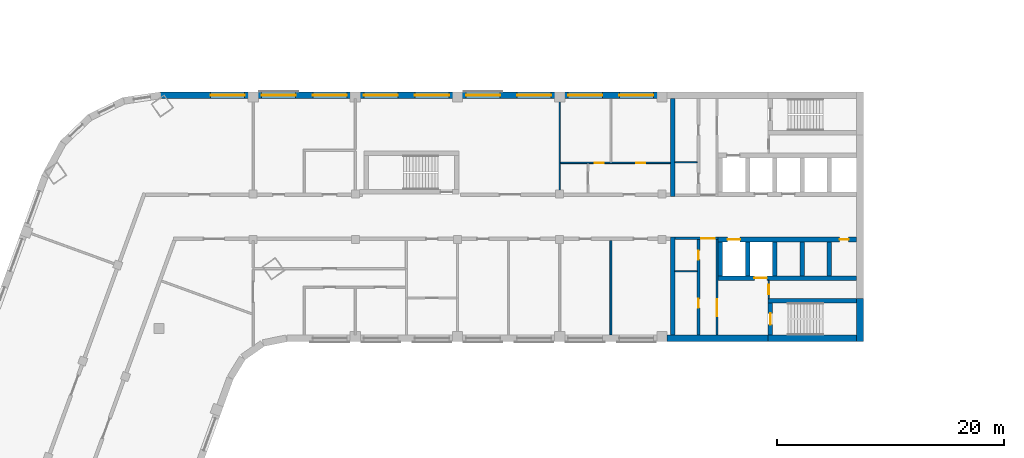
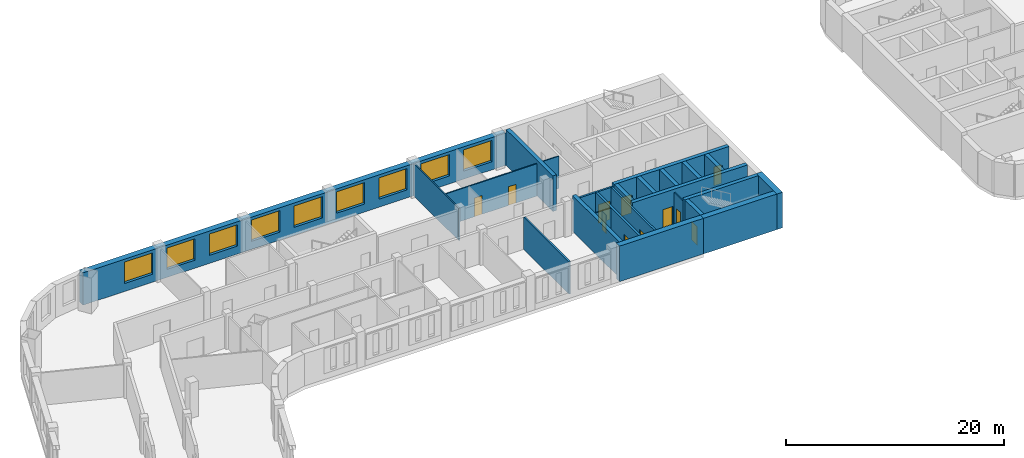
# One storey, part 5 of 12: 24 walls, 11 doors, 9 windows, 20 openings.
"""IFC4 building model written with IfcOpenShell, lengths in metres."""

from ifc_helpers import new_model, si_unit, direction, frame, frame_2d, origin, place, context, subcontext, project, spatial, rectangle, extrude, material, layer, layer_set, type_object, element, fill, save


model = new_model("IFC4")

# Units and contexts
model_context = context("Model", 3, precision=1e-05, world=origin(), true_north=direction((0.0, 1.0)))
body_context = subcontext(model_context, "Body", "Model", "MODEL_VIEW")
ifc_project = project(units=[si_unit("LENGTHUNIT", "METRE"), si_unit("AREAUNIT", "SQUARE_METRE"), si_unit("VOLUMEUNIT", "CUBIC_METRE"), si_unit("PLANEANGLEUNIT", "RADIAN"), si_unit("MASSUNIT", "GRAM", prefix="KILO")], contexts=[model_context])

# Site, building, storey
site_placement = place(None, origin())
site = spatial("IfcSite", under=ifc_project, at=site_placement, CompositionType="ELEMENT")
building_placement = place(site_placement, origin())
building = spatial("IfcBuilding", under=site, at=building_placement, Name="Skarvind Civic Tower", CompositionType="ELEMENT")
storey_placement = place(building_placement, frame((0.0, 0.0, 71.5)))
storey = spatial("IfcBuildingStorey", under=building, at=storey_placement, Name="L16", CompositionType="ELEMENT", Elevation=71.5)

# Wall
ifc_material_1 = material(Name="Acoustic gypsum board on steel studs", Category="steel")
ifc_layer_1 = layer(ifc_material_1, 0.175048828125)
ifc_layer_set_1 = layer_set([ifc_layer_1], Name="ACOUSTIC MEETING-ROOM PARTITION 175")
wall_type_1 = type_object("IfcWallType", Name="ACOUSTIC MEETING-ROOM PARTITION 175", PredefinedType="PARTITIONING", material=ifc_layer_set_1)
wall_1_placement = place(storey_placement, frame((85.75, 117.60009765625, 0.0), z_axis=(0.0, 0.0, 1.0), x_axis=(0.0, 1.0, 0.0)))
element("IfcWall", 1, at=wall_1_placement, inside=storey, type_object=wall_type_1, Name="Partition 16.029", PredefinedType="PARTITIONING", context=body_context, shape_type="SweptSolid", body=[
    extrude(rectangle(XDim=8.2998046875, YDim=0.175048828125, at=frame_2d((4.14990234375, 0.0))), origin(), (0.0, 0.0, 1.0), 3.625),
])

# Wall, opening, door
ifc_material_2 = material(Name="Fire-rated masonry partition", Category="masonry")
ifc_layer_2 = layer(ifc_material_2, 0.199951171875)
ifc_layer_set_2 = layer_set([ifc_layer_2], Name="Core enclosure wall 200")
wall_type_2 = type_object("IfcWallType", Name="Core enclosure wall 200", PredefinedType="PARTITIONING", material=ifc_layer_set_2)
wall_2_placement = place(storey_placement, frame((95.199951171875, 126.10009765625, 0.0), z_axis=(0.0, 0.0, 1.0), x_axis=(-1.0, 0.0, 0.0)))
wall_2 = element("IfcWall", 2, at=wall_2_placement, inside=storey, type_object=wall_type_2, Name="Core wall C1", PredefinedType="PARTITIONING", context=body_context, shape_type="SweptSolid", body=[
    extrude(rectangle(XDim=3.800048828125, YDim=0.199951171875, at=frame_2d((1.89990234375, 0.0))), origin(), (0.0, 0.0, 1.0), 3.625),
])
opening_1_placement = place(wall_2_placement, frame((0.300048828125, 0.0, 0.0)))
opening_1 = element("IfcOpeningElement", 3, at=opening_1_placement, cuts=wall_2, Name="Opening D-L16-C1-05", PredefinedType="OPENING", context=body_context, shape_type="SweptSolid", body=[
    extrude(rectangle(XDim=1.199951171875, YDim=2.10009765625, at=frame_2d((0.60009765625, 1.050048828125))), frame((0.0, 0.10986328125, 0.0), z_axis=(0.0, -1.0, 0.0), x_axis=(1.0, 0.0, 0.0)), (0.0, 0.0, 1.0), 0.219970703125),
])
ifc_material_3 = material(Name="Fire-rated steel door", Category="steel")
door_type_1 = type_object("IfcDoorType", Name="Core lobby door 1200", OperationType="NOTDEFINED", PredefinedType="DOOR", material=ifc_material_3)
door_1_placement = place(opening_1_placement, origin())
door_1 = element("IfcDoor", 4, at=door_1_placement, inside=storey, type_object=door_type_1, Name="Fire door", OperationType="DOUBLE_DOOR_SINGLE_SWING", OverallHeight=2.10009765625, OverallWidth=1.199951171875, PredefinedType="DOOR", context=body_context, shape_type="SweptSolid", body=[
    extrude(rectangle(XDim=1.199951171875, YDim=2.10009765625, at=frame_2d((0.60009765625, 1.050048828125))), frame((0.0, 0.02490234375, 0.0), z_axis=(0.0, -1.0, 0.0), x_axis=(1.0, 0.0, 0.0)), (0.0, 0.0, 1.0), 0.050048828125),
])
fill(opening_1, door_1)

wall_3_placement = place(storey_placement, frame((95.10009765625, 117.60009765625, 0.0), z_axis=(0.0, 0.0, 1.0), x_axis=(0.0, 1.0, 0.0)))
wall_3 = element("IfcWall", 5, at=wall_3_placement, inside=storey, type_object=wall_type_2, Name="Core wall C1", PredefinedType="PARTITIONING", context=body_context, shape_type="SweptSolid", body=[
    extrude(rectangle(XDim=8.39990234375, YDim=0.199951171875, at=frame_2d((4.199951171875, 0.0))), origin(), (0.0, 0.0, 1.0), 3.625),
])
opening_2_placement = place(wall_3_placement, frame((1.64990234375, 0.0, 0.0)))
opening_2 = element("IfcOpeningElement", 6, at=opening_2_placement, cuts=wall_3, Name="Opening D-L16-C1-06", PredefinedType="OPENING", context=body_context, shape_type="SweptSolid", body=[
    extrude(rectangle(XDim=1.5, YDim=2.10009765625, at=frame_2d((0.75, 1.050048828125))), frame((0.0, 0.10986328125, 0.0), z_axis=(0.0, -1.0, 0.0), x_axis=(1.0, 0.0, 0.0)), (0.0, 0.0, 1.0), 0.219970703125),
])
door_type_2 = type_object("IfcDoorType", Name="Fire door 1500", OperationType="NOTDEFINED", PredefinedType="DOOR", material=ifc_material_3)
door_2_placement = place(opening_2_placement, origin())
door_2 = element("IfcDoor", 7, at=door_2_placement, inside=storey, type_object=door_type_2, Name="Fire door", OperationType="DOUBLE_DOOR_SINGLE_SWING", OverallHeight=2.10009765625, OverallWidth=1.5, PredefinedType="DOOR", context=body_context, shape_type="SweptSolid", body=[
    extrude(rectangle(XDim=1.5, YDim=2.10009765625, at=frame_2d((0.75, 1.050048828125))), frame((0.0, 0.02490234375, 0.0), z_axis=(0.0, -1.0, 0.0), x_axis=(1.0, 0.0, 0.0)), (0.0, 0.0, 1.0), 0.050048828125),
])
fill(opening_2, door_2)

# Walls
ifc_material_4 = material(Name="Fire-rated plasterboard partition")
ifc_layer_3 = layer(ifc_material_4, 0.10009765625)
ifc_layer_set_3 = layer_set([ifc_layer_3], Name="Core partition wall 100")
wall_type_3 = type_object("IfcWallType", Name="Core partition wall 100", PredefinedType="PARTITIONING", material=ifc_layer_set_3)
for number, where, z_axis, x_axis, name in (
    (8, (93.35009765625, 123.199951171875, 0.0), (0.0, 0.0, 1.0), (-1.0, 0.0, 0.0), "Core wall C1"),
    (9, (91.39990234375, 132.800048828125, 0.0), (0.0, 0.0, 1.0), (1.0, 0.0, 0.0), "Core wall C1"),
):
    element("IfcWall", number, at=place(storey_placement, frame(where, z_axis=z_axis, x_axis=x_axis)), inside=storey, type_object=wall_type_3, Name=name, PredefinedType="PARTITIONING", context=body_context, shape_type="SweptSolid", body=[
        extrude(rectangle(XDim=1.9501953125, YDim=0.10009765625, at=frame_2d((0.97509765625, 0.0))), origin(), (0.0, 0.0, 1.0), 3.625),
    ])
ifc_material_5 = material(Name="Concrete C80", Category="concrete")
ifc_layer_4 = layer(ifc_material_5, 0.39990234375)
ifc_layer_set_4 = layer_set([ifc_layer_4], Name="Core wall 400 C80")
wall_type_4 = type_object("IfcWallType", Name="Core wall 400 C80", PredefinedType="SHEAR", material=ifc_layer_set_4)
wall_4_placement = place(storey_placement, frame((107.39990234375, 120.60009765625, 0.0), z_axis=(0.0, 0.0, 1.0), x_axis=(-1.0, 0.0, 0.0)))
element("IfcWall", 10, at=wall_4_placement, inside=storey, type_object=wall_type_4, Name="Core wall C1 north stair inner L16", PredefinedType="SHEAR", context=body_context, shape_type="SweptSolid", body=[
    extrude(rectangle(XDim=7.7998046875, YDim=0.39990234375, at=frame_2d((3.89990234375, 0.0))), origin(), (0.0, 0.0, 1.0), 4.0),
])

# Wall, opening, door
wall_5_placement = place(storey_placement, frame((99.800048828125, 120.39990234375, 0.0), z_axis=(0.0, 0.0, 1.0), x_axis=(0.0, -1.0, 0.0)))
wall_5 = element("IfcWall", 11, at=wall_5_placement, inside=storey, type_object=wall_type_4, Name="Core wall C1 north stair end L16", PredefinedType="SHEAR", context=body_context, shape_type="SweptSolid", body=[
    extrude(rectangle(XDim=2.7998046875, YDim=0.39990234375, at=frame_2d((1.39990234375, 0.0))), origin(), (0.0, 0.0, 1.0), 4.0),
])
opening_3_placement = place(wall_5_placement, frame((0.89990234375, 0.0, 0.0)))
opening_3 = element("IfcOpeningElement", 12, at=opening_3_placement, cuts=wall_5, Name="Opening D-L16-C1-07", PredefinedType="OPENING", context=body_context, shape_type="SweptSolid", body=[
    extrude(rectangle(XDim=1.0, YDim=2.10009765625, at=frame_2d((0.5, 1.050048828125))), frame((0.0, 0.2099609375, 0.0), z_axis=(0.0, -1.0, 0.0), x_axis=(1.0, 0.0, 0.0)), (0.0, 0.0, 1.0), 0.419921875),
])
door_type_3 = type_object("IfcDoorType", Name="Fire door 1000", OperationType="NOTDEFINED", PredefinedType="DOOR", material=ifc_material_3)
door_3_placement = place(opening_3_placement, origin())
door_3 = element("IfcDoor", 13, at=door_3_placement, inside=storey, type_object=door_type_3, Name="Fire door", OperationType="SINGLE_SWING_LEFT", OverallHeight=2.10009765625, OverallWidth=1.0, PredefinedType="DOOR", context=body_context, shape_type="SweptSolid", body=[
    extrude(rectangle(XDim=1.0, YDim=2.10009765625, at=frame_2d((0.5, 1.050048828125))), frame((0.0, 0.02490234375, 0.0), z_axis=(0.0, -1.0, 0.0), x_axis=(1.0, 0.0, 0.0)), (0.0, 0.0, 1.0), 0.050048828125),
])
fill(opening_3, door_3)

# Wall, openings, doors
wall_6_placement = place(storey_placement, frame((107.39990234375, 126.0, 0.0), z_axis=(0.0, 0.0, 1.0), x_axis=(-1.0, 0.0, 0.0)))
wall_6 = element("IfcWall", 14, at=wall_6_placement, inside=storey, type_object=wall_type_4, Name="Core wall C1 north lift row front L16", PredefinedType="SHEAR", context=body_context, shape_type="SweptSolid", body=[
    extrude(rectangle(XDim=12.199951171875, YDim=0.39990234375, at=frame_2d((6.10009765625, 0.0))), origin(), (0.0, 0.0, 1.0), 4.0),
])
opening_4_placement = place(wall_6_placement, frame((10.25, 0.0, 0.0)))
opening_4 = element("IfcOpeningElement", 15, at=opening_4_placement, cuts=wall_6, Name="Opening LD18105", PredefinedType="OPENING", context=body_context, shape_type="SweptSolid", body=[
    extrude(rectangle(XDim=1.10009765625, YDim=2.10009765625, at=frame_2d((0.550048828125, 1.050048828125))), frame((0.0, 0.2099609375, 0.0), z_axis=(0.0, -1.0, 0.0), x_axis=(1.0, 0.0, 0.0)), (0.0, 0.0, 1.0), 0.419921875),
])
opening_5_placement = place(wall_6_placement, frame((0.699951171875, 0.0, 0.0)))
opening_5 = element("IfcOpeningElement", 16, at=opening_5_placement, cuts=wall_6, Name="Opening D-L16-C1-04", PredefinedType="OPENING", context=body_context, shape_type="SweptSolid", body=[
    extrude(rectangle(XDim=0.800048828125, YDim=2.10009765625, at=frame_2d((0.39990234375, 1.050048828125))), frame((0.0, 0.2099609375, 0.0), z_axis=(0.0, -1.0, 0.0), x_axis=(1.0, 0.0, 0.0)), (0.0, 0.0, 1.0), 0.419921875),
])
door_type_4 = type_object("IfcDoorType", Name="Core riser door 800", OperationType="NOTDEFINED", PredefinedType="DOOR", material=ifc_material_3)
door_4_placement = place(opening_5_placement, origin())
door_4 = element("IfcDoor", 17, at=door_4_placement, inside=storey, type_object=door_type_4, Name="Riser door", OperationType="SINGLE_SWING_LEFT", OverallHeight=2.10009765625, OverallWidth=0.800048828125, PredefinedType="DOOR", context=body_context, shape_type="SweptSolid", body=[
    extrude(rectangle(XDim=0.800048828125, YDim=2.10009765625, at=frame_2d((0.39990234375, 1.050048828125))), frame((0.0, 0.02490234375, 0.0), z_axis=(0.0, -1.0, 0.0), x_axis=(1.0, 0.0, 0.0)), (0.0, 0.0, 1.0), 0.050048828125),
])
fill(opening_5, door_4)
ifc_material_6 = material(Name="Stainless steel landing door", Category="steel")
door_type_5 = type_object("IfcDoorType", Name="Lift landing door 1100", OperationType="DOUBLE_DOOR_SLIDING", PredefinedType="DOOR", material=ifc_material_6)
door_5_placement = place(opening_4_placement, origin())
door_5 = element("IfcDoor", 18, at=door_5_placement, inside=storey, type_object=door_type_5, Name="Lift landing door", OperationType="DOUBLE_DOOR_SLIDING", OverallHeight=2.10009765625, OverallWidth=1.10009765625, PredefinedType="DOOR", context=body_context, shape_type="SweptSolid", body=[
    extrude(rectangle(XDim=1.10009765625, YDim=2.10009765625, at=frame_2d((0.550048828125, 1.050048828125))), frame((0.0, 0.02490234375, 0.0), z_axis=(0.0, -1.0, 0.0), x_axis=(1.0, 0.0, 0.0)), (0.0, 0.0, 1.0), 0.050048828125),
])
fill(opening_4, door_5)

# Wall, opening, door
wall_7_placement = place(storey_placement, frame((107.39990234375, 122.60009765625, 0.0), z_axis=(0.0, 0.0, 1.0), x_axis=(-1.0, 0.0, 0.0)))
wall_7 = element("IfcWall", 19, at=wall_7_placement, inside=storey, type_object=wall_type_4, Name="Core wall C1 north lift row back L16", PredefinedType="SHEAR", context=body_context, shape_type="SweptSolid", body=[
    extrude(rectangle(XDim=12.199951171875, YDim=0.39990234375, at=frame_2d((6.10009765625, 0.0))), origin(), (0.0, 0.0, 1.0), 4.0),
])
opening_6_placement = place(wall_7_placement, frame((7.89990234375, 0.0, 0.0)))
opening_6 = element("IfcOpeningElement", 20, at=opening_6_placement, cuts=wall_7, Name="Opening LD18104", PredefinedType="OPENING", context=body_context, shape_type="SweptSolid", body=[
    extrude(rectangle(XDim=1.10009765625, YDim=2.10009765625, at=frame_2d((0.550048828125, 1.050048828125))), frame((0.0, 0.2099609375, 0.0), z_axis=(0.0, -1.0, 0.0), x_axis=(1.0, 0.0, 0.0)), (0.0, 0.0, 1.0), 0.419921875),
])
door_6_placement = place(opening_6_placement, origin())
door_6 = element("IfcDoor", 21, at=door_6_placement, inside=storey, type_object=door_type_5, Name="Lift landing door", OperationType="DOUBLE_DOOR_SLIDING", OverallHeight=2.10009765625, OverallWidth=1.10009765625, PredefinedType="DOOR", context=body_context, shape_type="SweptSolid", body=[
    extrude(rectangle(XDim=1.10009765625, YDim=2.10009765625, at=frame_2d((0.550048828125, 1.050048828125))), frame((0.0, 0.02490234375, 0.0), z_axis=(0.0, -1.0, 0.0), x_axis=(1.0, 0.0, 0.0)), (0.0, 0.0, 1.0), 0.050048828125),
])
fill(opening_6, door_6)

# Walls
for number, where, z_axis, x_axis, name in (
    (22, (105.0, 125.800048828125, 0.0), (0.0, 0.0, 1.0), (0.0, -1.0, 0.0), "Core wall C1 north lift row division 1 L16"),
    (23, (102.60009765625, 125.800048828125, 0.0), (0.0, 0.0, 1.0), (0.0, -1.0, 0.0), "Core wall C1 north lift row division 2 L16"),
    (24, (100.199951171875, 125.800048828125, 0.0), (0.0, 0.0, 1.0), (0.0, -1.0, 0.0), "Core wall C1 north lift row division 3 L16"),
    (25, (97.800048828125, 125.800048828125, 0.0), (0.0, 0.0, 1.0), (0.0, -1.0, 0.0), "Core wall C1 north lift row division 4 L16"),
    (26, (95.39990234375, 125.800048828125, 0.0), (0.0, 0.0, 1.0), (0.0, -1.0, 0.0), "Core wall C1 north lift row division 5 L16"),
):
    element("IfcWall", number, at=place(storey_placement, frame(where, z_axis=z_axis, x_axis=x_axis)), inside=storey, type_object=wall_type_4, Name=name, PredefinedType="SHEAR", context=body_context, shape_type="SweptSolid", body=[
        extrude(rectangle(XDim=3.0, YDim=0.39990234375, at=frame_2d((1.5, 0.0))), origin(), (0.0, 0.0, 1.0), 4.0),
    ])
for number, where, z_axis, x_axis, name in (
    (27, (91.199951171875, 138.39990234375, 0.0), (0.0, 0.0, 1.0), (0.0, -1.0, 0.0), "Core wall C1 south inner face L16"),
    (28, (91.199951171875, 126.199951171875, 0.0), (0.0, 0.0, 1.0), (0.0, -1.0, 0.0), "Core wall C1 north inner face L16"),
):
    element("IfcWall", number, at=place(storey_placement, frame(where, z_axis=z_axis, x_axis=x_axis)), inside=storey, type_object=wall_type_4, Name=name, PredefinedType="SHEAR", context=body_context, shape_type="SweptSolid", body=[
        extrude(rectangle(XDim=8.599853515625, YDim=0.39990234375, at=frame_2d((4.2998046875, 0.0))), origin(), (0.0, 0.0, 1.0), 4.0),
    ])
ifc_layer_5 = layer(ifc_material_5, 0.60009765625)
ifc_layer_set_5 = layer_set([ifc_layer_5], Name="Core wall 600 C80")
wall_type_5 = type_object("IfcWallType", Name="Core wall 600 C80", PredefinedType="SHEAR", material=ifc_layer_set_5)
wall_8_placement = place(storey_placement, frame((107.699951171875, 120.800048828125, 0.0), z_axis=(0.0, 0.0, 1.0), x_axis=(0.0, -1.0, 0.0)))
element("IfcWall", 29, at=wall_8_placement, inside=storey, type_object=wall_type_5, Name="Core wall C1 tip at the north stair L16", PredefinedType="SHEAR", context=body_context, shape_type="SweptSolid", body=[
    extrude(rectangle(XDim=3.800048828125, YDim=0.60009765625, at=frame_2d((1.89990234375, 0.0))), origin(), (0.0, 0.0, 1.0), 4.0),
])
wall_9_placement = place(storey_placement, frame((107.39990234375, 117.300048828125, 0.0), z_axis=(0.0, 0.0, 1.0), x_axis=(-1.0, 0.0, 0.0)))
element("IfcWall", 30, at=wall_9_placement, inside=storey, type_object=wall_type_5, Name="Core wall C1 north side at the stair L16", PredefinedType="SHEAR", context=body_context, shape_type="SweptSolid", body=[
    extrude(rectangle(XDim=7.7998046875, YDim=0.60009765625, at=frame_2d((3.89990234375, 0.0))), origin(), (0.0, 0.0, 1.0), 4.0),
])
wall_10_placement = place(storey_placement, frame((99.60009765625, 117.300048828125, 0.0), z_axis=(0.0, 0.0, 1.0), x_axis=(-1.0, 0.0, 0.0)))
element("IfcWall", 31, at=wall_10_placement, inside=storey, type_object=wall_type_5, Name="Core wall C1 north side L16", PredefinedType="SHEAR", context=body_context, shape_type="SweptSolid", body=[
    extrude(rectangle(XDim=8.900146484375, YDim=0.60009765625, at=frame_2d((4.4501953125, 0.0))), origin(), (0.0, 0.0, 1.0), 4.0),
])

# Wall, opening, door
ifc_layer_6 = layer(ifc_material_2, 0.125)
ifc_layer_set_6 = layer_set([ifc_layer_6], Name="Riser wall 125")
wall_type_6 = type_object("IfcWallType", Name="Riser wall 125", PredefinedType="PARTITIONING", material=ifc_layer_set_6)
wall_11_placement = place(storey_placement, frame((99.66259765625, 120.800048828125, 0.0), z_axis=(0.0, 0.0, 1.0), x_axis=(0.0, 1.0, 0.0)))
wall_11 = element("IfcWall", 32, at=wall_11_placement, inside=storey, type_object=wall_type_6, Name="Core wall C1", PredefinedType="PARTITIONING", context=body_context, shape_type="SweptSolid", body=[
    extrude(rectangle(XDim=1.599853515625, YDim=0.125, at=frame_2d((0.7998046875, 0.0))), origin(), (0.0, 0.0, 1.0), 3.625),
])
opening_7_placement = place(wall_11_placement, frame((0.39990234375, 0.0, 0.0)))
opening_7 = element("IfcOpeningElement", 33, at=opening_7_placement, cuts=wall_11, Name="Opening D-L16-C1-08", PredefinedType="OPENING", context=body_context, shape_type="SweptSolid", body=[
    extrude(rectangle(XDim=0.800048828125, YDim=2.10009765625, at=frame_2d((0.39990234375, 1.050048828125))), frame((0.0, 0.072509765625, 0.0), z_axis=(0.0, -1.0, 0.0), x_axis=(1.0, 0.0, 0.0)), (0.0, 0.0, 1.0), 0.14501953125),
])
door_7_placement = place(opening_7_placement, origin())
door_7 = element("IfcDoor", 34, at=door_7_placement, inside=storey, type_object=door_type_4, Name="Riser door", OperationType="SINGLE_SWING_RIGHT", OverallHeight=2.10009765625, OverallWidth=0.800048828125, PredefinedType="DOOR", context=body_context, shape_type="SweptSolid", body=[
    extrude(rectangle(XDim=0.800048828125, YDim=2.10009765625, at=frame_2d((0.39990234375, 1.050048828125))), frame((0.0, 0.02490234375, 0.0), z_axis=(0.0, -1.0, 0.0), x_axis=(1.0, 0.0, 0.0)), (0.0, 0.0, 1.0), 0.050048828125),
])
fill(opening_7, door_7)

# Wall, openings, doors
ifc_layer_7 = layer(ifc_material_2, 0.25)
ifc_layer_set_7 = layer_set([ifc_layer_7], Name="Service block wall 250")
wall_type_7 = type_object("IfcWallType", Name="Service block wall 250", PredefinedType="PARTITIONING", material=ifc_layer_set_7)
wall_12_placement = place(storey_placement, frame((93.47509765625, 117.60009765625, 0.0), z_axis=(0.0, 0.0, 1.0), x_axis=(0.0, 1.0, 0.0)))
wall_12 = element("IfcWall", 35, at=wall_12_placement, inside=storey, type_object=wall_type_7, Name="Core wall C1", PredefinedType="PARTITIONING", context=body_context, shape_type="SweptSolid", body=[
    extrude(rectangle(XDim=8.39990234375, YDim=0.25, at=frame_2d((4.199951171875, 0.0))), origin(), (0.0, 0.0, 1.0), 3.625),
])
opening_8_placement = place(wall_12_placement, frame((6.625, 0.0, 0.0)))
opening_8 = element("IfcOpeningElement", 36, at=opening_8_placement, cuts=wall_12, Name="Opening D-L16-C1-09", PredefinedType="OPENING", context=body_context, shape_type="SweptSolid", body=[
    extrude(rectangle(XDim=0.800048828125, YDim=2.10009765625, at=frame_2d((0.39990234375, 1.050048828125))), frame((0.0, 0.135009765625, 0.0), z_axis=(0.0, -1.0, 0.0), x_axis=(1.0, 0.0, 0.0)), (0.0, 0.0, 1.0), 0.27001953125),
])
opening_9_placement = place(wall_12_placement, frame((2.375, 0.0, 0.0)))
opening_9 = element("IfcOpeningElement", 37, at=opening_9_placement, cuts=wall_12, Name="Opening D-L16-C1-10", PredefinedType="OPENING", context=body_context, shape_type="SweptSolid", body=[
    extrude(rectangle(XDim=0.800048828125, YDim=2.10009765625, at=frame_2d((0.39990234375, 1.050048828125))), frame((0.0, 0.135009765625, 0.0), z_axis=(0.0, -1.0, 0.0), x_axis=(1.0, 0.0, 0.0)), (0.0, 0.0, 1.0), 0.27001953125),
])
door_8_placement = place(opening_8_placement, origin())
door_8 = element("IfcDoor", 38, at=door_8_placement, inside=storey, type_object=door_type_4, Name="Riser door", OperationType="SINGLE_SWING_LEFT", OverallHeight=2.10009765625, OverallWidth=0.800048828125, PredefinedType="DOOR", context=body_context, shape_type="SweptSolid", body=[
    extrude(rectangle(XDim=0.800048828125, YDim=2.10009765625, at=frame_2d((0.39990234375, 1.050048828125))), frame((0.0, 0.02490234375, 0.0), z_axis=(0.0, -1.0, 0.0), x_axis=(1.0, 0.0, 0.0)), (0.0, 0.0, 1.0), 0.050048828125),
])
fill(opening_8, door_8)
door_9_placement = place(opening_9_placement, origin())
door_9 = element("IfcDoor", 39, at=door_9_placement, inside=storey, type_object=door_type_4, Name="Riser door", OperationType="SINGLE_SWING_RIGHT", OverallHeight=2.10009765625, OverallWidth=0.800048828125, PredefinedType="DOOR", context=body_context, shape_type="SweptSolid", body=[
    extrude(rectangle(XDim=0.800048828125, YDim=2.10009765625, at=frame_2d((0.39990234375, 1.050048828125))), frame((0.0, 0.02490234375, 0.0), z_axis=(0.0, -1.0, 0.0), x_axis=(1.0, 0.0, 0.0)), (0.0, 0.0, 1.0), 0.050048828125),
])
fill(opening_9, door_9)

# Wall
ifc_material_7 = material(Name="Moisture-resistant gypsum board on steel studs", Category="steel")
ifc_layer_8 = layer(ifc_material_7, 0.125)
ifc_layer_set_8 = layer_set([ifc_layer_8], Name="WC PARTITION 125")
wall_type_8 = type_object("IfcWallType", Name="WC PARTITION 125", PredefinedType="PARTITIONING", material=ifc_layer_set_8)
wall_13_placement = place(storey_placement, frame((81.25, 130.10009765625, 0.0), z_axis=(0.0, 0.0, 1.0), x_axis=(0.0, 1.0, 0.0)))
element("IfcWall", 40, at=wall_13_placement, inside=storey, type_object=wall_type_8, Name="Partition 16.026", PredefinedType="PARTITIONING", context=body_context, shape_type="SweptSolid", body=[
    extrude(rectangle(XDim=8.2998046875, YDim=0.125, at=frame_2d((4.14990234375, 0.0))), origin(), (0.0, 0.0, 1.0), 3.625),
])

# Wall, openings, doors
wall_14_placement = place(storey_placement, frame((81.31201171875, 132.75, 0.0), z_axis=(0.0, 0.0, 1.0), x_axis=(1.0, 0.0, 0.0)))
wall_14 = element("IfcWall", 41, at=wall_14_placement, inside=storey, type_object=wall_type_8, Name="Partition 16.027", PredefinedType="PARTITIONING", context=body_context, shape_type="SweptSolid", body=[
    extrude(rectangle(XDim=9.68798828125, YDim=0.125, at=frame_2d((4.843994140625, 0.0))), origin(), (0.0, 0.0, 1.0), 3.625),
])
opening_10_placement = place(wall_14_placement, frame((6.6630859375, 0.0, 0.0)))
opening_10 = element("IfcOpeningElement", 42, at=opening_10_placement, cuts=wall_14, Name="Opening L16-D003", PredefinedType="OPENING", context=body_context, shape_type="SweptSolid", body=[
    extrude(rectangle(XDim=0.800048828125, YDim=2.10009765625, at=frame_2d((0.39990234375, 1.050048828125))), frame((0.0, 0.072509765625, 0.0), z_axis=(0.0, -1.0, 0.0), x_axis=(1.0, 0.0, 0.0)), (0.0, 0.0, 1.0), 0.14501953125),
])
opening_11_placement = place(wall_14_placement, frame((3.03662109375, 0.0, 0.0)))
opening_11 = element("IfcOpeningElement", 43, at=opening_11_placement, cuts=wall_14, Name="Opening L16-D004", PredefinedType="OPENING", context=body_context, shape_type="SweptSolid", body=[
    extrude(rectangle(XDim=0.800048828125, YDim=2.10009765625, at=frame_2d((0.39990234375, 1.050048828125))), frame((0.0, 0.072509765625, 0.0), z_axis=(0.0, -1.0, 0.0), x_axis=(1.0, 0.0, 0.0)), (0.0, 0.0, 1.0), 0.14501953125),
])
ifc_material_8 = material(Name="Timber door leaf", Category="wood")
door_type_6 = type_object("IfcDoorType", Name="DOOR 800X2100 TIMBER", OperationType="NOTDEFINED", PredefinedType="DOOR", material=ifc_material_8)
door_10_placement = place(opening_10_placement, origin())
door_10 = element("IfcDoor", 44, at=door_10_placement, inside=storey, type_object=door_type_6, Name="Door L16-D003", OperationType="SINGLE_SWING_RIGHT", OverallHeight=2.10009765625, OverallWidth=0.800048828125, PredefinedType="DOOR", context=body_context, shape_type="SweptSolid", body=[
    extrude(rectangle(XDim=0.800048828125, YDim=2.10009765625, at=frame_2d((0.39990234375, 1.050048828125))), frame((0.0, 0.02490234375, 0.0), z_axis=(0.0, -1.0, 0.0), x_axis=(1.0, 0.0, 0.0)), (0.0, 0.0, 1.0), 0.050048828125),
])
fill(opening_10, door_10)
door_11_placement = place(opening_11_placement, origin())
door_11 = element("IfcDoor", 45, at=door_11_placement, inside=storey, type_object=door_type_6, Name="Door L16-D004", OperationType="SINGLE_SWING_LEFT", OverallHeight=2.10009765625, OverallWidth=0.800048828125, PredefinedType="DOOR", context=body_context, shape_type="SweptSolid", body=[
    extrude(rectangle(XDim=0.800048828125, YDim=2.10009765625, at=frame_2d((0.39990234375, 1.050048828125))), frame((0.0, 0.02490234375, 0.0), z_axis=(0.0, -1.0, 0.0), x_axis=(1.0, 0.0, 0.0)), (0.0, 0.0, 1.0), 0.050048828125),
])
fill(opening_11, door_11)

# Wall, openings, windows
ifc_material_9 = material(Name="Limestone masonry cladding on insulated backing", Category="masonry")
ifc_layer_9 = layer(ifc_material_9, 0.60009765625)
ifc_layer_set_9 = layer_set([ifc_layer_9], Name="WX1 STONE FACADE WALL 600")
wall_type_9 = type_object("IfcWallType", Name="WX1 STONE FACADE WALL 600", PredefinedType="SOLIDWALL", material=ifc_layer_set_9)
wall_15_placement = place(storey_placement, frame((46.095458984375, 138.699951171875, 0.0), z_axis=(0.0, 0.0, 1.0), x_axis=(1.0, 0.0, 0.0)))
wall_15 = element("IfcWall", 46, at=wall_15_placement, inside=storey, type_object=wall_type_9, Name="STONE FACADE WALL", PredefinedType="SOLIDWALL", context=body_context, shape_type="SweptSolid", body=[
    extrude(rectangle(XDim=44.884521484375, YDim=0.60009765625, at=frame_2d((22.4423828125, 0.0))), origin(), (0.0, 0.0, 1.0), 3.625),
])
opening_12_placement = place(wall_15_placement, frame((4.404541015625, 0.0, 0.89990234375)))
opening_12 = element("IfcOpeningElement", 47, at=opening_12_placement, cuts=wall_15, Name="Opening WN1", PredefinedType="OPENING", context=body_context, shape_type="SweptSolid", body=[
    extrude(rectangle(XDim=3.0, YDim=2.39990234375, at=frame_2d((1.5, 1.199951171875))), frame((0.0, 0.31005859375, 0.0), z_axis=(0.0, -1.0, 0.0), x_axis=(1.0, 0.0, 0.0)), (0.0, 0.0, 1.0), 0.6201171875),
])
opening_13_placement = place(wall_15_placement, frame((8.904541015625, 0.0, 0.89990234375)))
opening_13 = element("IfcOpeningElement", 48, at=opening_13_placement, cuts=wall_15, Name="Opening WN1", PredefinedType="OPENING", context=body_context, shape_type="SweptSolid", body=[
    extrude(rectangle(XDim=3.0, YDim=2.39990234375, at=frame_2d((1.5, 1.199951171875))), frame((0.0, 0.31005859375, 0.0), z_axis=(0.0, -1.0, 0.0), x_axis=(1.0, 0.0, 0.0)), (0.0, 0.0, 1.0), 0.6201171875),
])
opening_14_placement = place(wall_15_placement, frame((13.404541015625, 0.0, 0.89990234375)))
opening_14 = element("IfcOpeningElement", 49, at=opening_14_placement, cuts=wall_15, Name="Opening WN1", PredefinedType="OPENING", context=body_context, shape_type="SweptSolid", body=[
    extrude(rectangle(XDim=3.0, YDim=2.39990234375, at=frame_2d((1.5, 1.199951171875))), frame((0.0, 0.31005859375, 0.0), z_axis=(0.0, -1.0, 0.0), x_axis=(1.0, 0.0, 0.0)), (0.0, 0.0, 1.0), 0.6201171875),
])
opening_15_placement = place(wall_15_placement, frame((17.904541015625, 0.0, 0.89990234375)))
opening_15 = element("IfcOpeningElement", 50, at=opening_15_placement, cuts=wall_15, Name="Opening WN1", PredefinedType="OPENING", context=body_context, shape_type="SweptSolid", body=[
    extrude(rectangle(XDim=3.0, YDim=2.39990234375, at=frame_2d((1.5, 1.199951171875))), frame((0.0, 0.31005859375, 0.0), z_axis=(0.0, -1.0, 0.0), x_axis=(1.0, 0.0, 0.0)), (0.0, 0.0, 1.0), 0.6201171875),
])
opening_16_placement = place(wall_15_placement, frame((22.404541015625, 0.0, 0.89990234375)))
opening_16 = element("IfcOpeningElement", 51, at=opening_16_placement, cuts=wall_15, Name="Opening WN1", PredefinedType="OPENING", context=body_context, shape_type="SweptSolid", body=[
    extrude(rectangle(XDim=3.0, YDim=2.39990234375, at=frame_2d((1.5, 1.199951171875))), frame((0.0, 0.31005859375, 0.0), z_axis=(0.0, -1.0, 0.0), x_axis=(1.0, 0.0, 0.0)), (0.0, 0.0, 1.0), 0.6201171875),
])
opening_17_placement = place(wall_15_placement, frame((26.904541015625, 0.0, 0.89990234375)))
opening_17 = element("IfcOpeningElement", 52, at=opening_17_placement, cuts=wall_15, Name="Opening WN1", PredefinedType="OPENING", context=body_context, shape_type="SweptSolid", body=[
    extrude(rectangle(XDim=3.0, YDim=2.39990234375, at=frame_2d((1.5, 1.199951171875))), frame((0.0, 0.31005859375, 0.0), z_axis=(0.0, -1.0, 0.0), x_axis=(1.0, 0.0, 0.0)), (0.0, 0.0, 1.0), 0.6201171875),
])
opening_18_placement = place(wall_15_placement, frame((31.404541015625, 0.0, 0.89990234375)))
opening_18 = element("IfcOpeningElement", 53, at=opening_18_placement, cuts=wall_15, Name="Opening WN1", PredefinedType="OPENING", context=body_context, shape_type="SweptSolid", body=[
    extrude(rectangle(XDim=3.0, YDim=2.39990234375, at=frame_2d((1.5, 1.199951171875))), frame((0.0, 0.31005859375, 0.0), z_axis=(0.0, -1.0, 0.0), x_axis=(1.0, 0.0, 0.0)), (0.0, 0.0, 1.0), 0.6201171875),
])
opening_19_placement = place(wall_15_placement, frame((35.904541015625, 0.0, 0.89990234375)))
opening_19 = element("IfcOpeningElement", 54, at=opening_19_placement, cuts=wall_15, Name="Opening WN1", PredefinedType="OPENING", context=body_context, shape_type="SweptSolid", body=[
    extrude(rectangle(XDim=3.0, YDim=2.39990234375, at=frame_2d((1.5, 1.199951171875))), frame((0.0, 0.31005859375, 0.0), z_axis=(0.0, -1.0, 0.0), x_axis=(1.0, 0.0, 0.0)), (0.0, 0.0, 1.0), 0.6201171875),
])
opening_20_placement = place(wall_15_placement, frame((40.404541015625, 0.0, 0.89990234375)))
opening_20 = element("IfcOpeningElement", 55, at=opening_20_placement, cuts=wall_15, Name="Opening WN1", PredefinedType="OPENING", context=body_context, shape_type="SweptSolid", body=[
    extrude(rectangle(XDim=3.0, YDim=2.39990234375, at=frame_2d((1.5, 1.199951171875))), frame((0.0, 0.31005859375, 0.0), z_axis=(0.0, -1.0, 0.0), x_axis=(1.0, 0.0, 0.0)), (0.0, 0.0, 1.0), 0.6201171875),
])
ifc_material_10 = material(Name="Timber frame, double glazing, timber-lined reveal", Category="wood")
window_type = type_object("IfcWindowType", Name="WN1 PUNCHED STONE WINDOW 3000 x 2400", PartitioningType="SINGLE_PANEL", PredefinedType="WINDOW", material=ifc_material_10)
window_1_placement = place(opening_12_placement, origin())
window_1 = element("IfcWindow", 56, at=window_1_placement, inside=storey, type_object=window_type, Name="WN1 WINDOW", OverallHeight=2.39990234375, OverallWidth=3.0, PartitioningType="SINGLE_PANEL", PredefinedType="WINDOW", context=body_context, shape_type="SweptSolid", body=[
    extrude(rectangle(XDim=3.0, YDim=2.39990234375, at=frame_2d((1.5, 1.199951171875))), frame((0.0, 0.030029296875, 0.0), z_axis=(0.0, -1.0, 0.0), x_axis=(1.0, 0.0, 0.0)), (0.0, 0.0, 1.0), 0.06005859375),
])
fill(opening_12, window_1)
window_2_placement = place(opening_13_placement, origin())
window_2 = element("IfcWindow", 57, at=window_2_placement, inside=storey, type_object=window_type, Name="WN1 WINDOW", OverallHeight=2.39990234375, OverallWidth=3.0, PartitioningType="SINGLE_PANEL", PredefinedType="WINDOW", context=body_context, shape_type="SweptSolid", body=[
    extrude(rectangle(XDim=3.0, YDim=2.39990234375, at=frame_2d((1.5, 1.199951171875))), frame((0.0, 0.030029296875, 0.0), z_axis=(0.0, -1.0, 0.0), x_axis=(1.0, 0.0, 0.0)), (0.0, 0.0, 1.0), 0.06005859375),
])
fill(opening_13, window_2)
window_3_placement = place(opening_14_placement, origin())
window_3 = element("IfcWindow", 58, at=window_3_placement, inside=storey, type_object=window_type, Name="WN1 WINDOW", OverallHeight=2.39990234375, OverallWidth=3.0, PartitioningType="SINGLE_PANEL", PredefinedType="WINDOW", context=body_context, shape_type="SweptSolid", body=[
    extrude(rectangle(XDim=3.0, YDim=2.39990234375, at=frame_2d((1.5, 1.199951171875))), frame((0.0, 0.030029296875, 0.0), z_axis=(0.0, -1.0, 0.0), x_axis=(1.0, 0.0, 0.0)), (0.0, 0.0, 1.0), 0.06005859375),
])
fill(opening_14, window_3)
window_4_placement = place(opening_15_placement, origin())
window_4 = element("IfcWindow", 59, at=window_4_placement, inside=storey, type_object=window_type, Name="WN1 WINDOW", OverallHeight=2.39990234375, OverallWidth=3.0, PartitioningType="SINGLE_PANEL", PredefinedType="WINDOW", context=body_context, shape_type="SweptSolid", body=[
    extrude(rectangle(XDim=3.0, YDim=2.39990234375, at=frame_2d((1.5, 1.199951171875))), frame((0.0, 0.030029296875, 0.0), z_axis=(0.0, -1.0, 0.0), x_axis=(1.0, 0.0, 0.0)), (0.0, 0.0, 1.0), 0.06005859375),
])
fill(opening_15, window_4)
window_5_placement = place(opening_16_placement, origin())
window_5 = element("IfcWindow", 60, at=window_5_placement, inside=storey, type_object=window_type, Name="WN1 WINDOW", OverallHeight=2.39990234375, OverallWidth=3.0, PartitioningType="SINGLE_PANEL", PredefinedType="WINDOW", context=body_context, shape_type="SweptSolid", body=[
    extrude(rectangle(XDim=3.0, YDim=2.39990234375, at=frame_2d((1.5, 1.199951171875))), frame((0.0, 0.030029296875, 0.0), z_axis=(0.0, -1.0, 0.0), x_axis=(1.0, 0.0, 0.0)), (0.0, 0.0, 1.0), 0.06005859375),
])
fill(opening_16, window_5)
window_6_placement = place(opening_17_placement, origin())
window_6 = element("IfcWindow", 61, at=window_6_placement, inside=storey, type_object=window_type, Name="WN1 WINDOW", OverallHeight=2.39990234375, OverallWidth=3.0, PartitioningType="SINGLE_PANEL", PredefinedType="WINDOW", context=body_context, shape_type="SweptSolid", body=[
    extrude(rectangle(XDim=3.0, YDim=2.39990234375, at=frame_2d((1.5, 1.199951171875))), frame((0.0, 0.030029296875, 0.0), z_axis=(0.0, -1.0, 0.0), x_axis=(1.0, 0.0, 0.0)), (0.0, 0.0, 1.0), 0.06005859375),
])
fill(opening_17, window_6)
window_7_placement = place(opening_18_placement, origin())
window_7 = element("IfcWindow", 62, at=window_7_placement, inside=storey, type_object=window_type, Name="WN1 WINDOW", OverallHeight=2.39990234375, OverallWidth=3.0, PartitioningType="SINGLE_PANEL", PredefinedType="WINDOW", context=body_context, shape_type="SweptSolid", body=[
    extrude(rectangle(XDim=3.0, YDim=2.39990234375, at=frame_2d((1.5, 1.199951171875))), frame((0.0, 0.030029296875, 0.0), z_axis=(0.0, -1.0, 0.0), x_axis=(1.0, 0.0, 0.0)), (0.0, 0.0, 1.0), 0.06005859375),
])
fill(opening_18, window_7)
window_8_placement = place(opening_19_placement, origin())
window_8 = element("IfcWindow", 63, at=window_8_placement, inside=storey, type_object=window_type, Name="WN1 WINDOW", OverallHeight=2.39990234375, OverallWidth=3.0, PartitioningType="SINGLE_PANEL", PredefinedType="WINDOW", context=body_context, shape_type="SweptSolid", body=[
    extrude(rectangle(XDim=3.0, YDim=2.39990234375, at=frame_2d((1.5, 1.199951171875))), frame((0.0, 0.030029296875, 0.0), z_axis=(0.0, -1.0, 0.0), x_axis=(1.0, 0.0, 0.0)), (0.0, 0.0, 1.0), 0.06005859375),
])
fill(opening_19, window_8)
window_9_placement = place(opening_20_placement, origin())
window_9 = element("IfcWindow", 64, at=window_9_placement, inside=storey, type_object=window_type, Name="WN1 WINDOW", OverallHeight=2.39990234375, OverallWidth=3.0, PartitioningType="SINGLE_PANEL", PredefinedType="WINDOW", context=body_context, shape_type="SweptSolid", body=[
    extrude(rectangle(XDim=3.0, YDim=2.39990234375, at=frame_2d((1.5, 1.199951171875))), frame((0.0, 0.030029296875, 0.0), z_axis=(0.0, -1.0, 0.0), x_axis=(1.0, 0.0, 0.0)), (0.0, 0.0, 1.0), 0.06005859375),
])
fill(opening_20, window_9)

save(model, "model.ifc")
